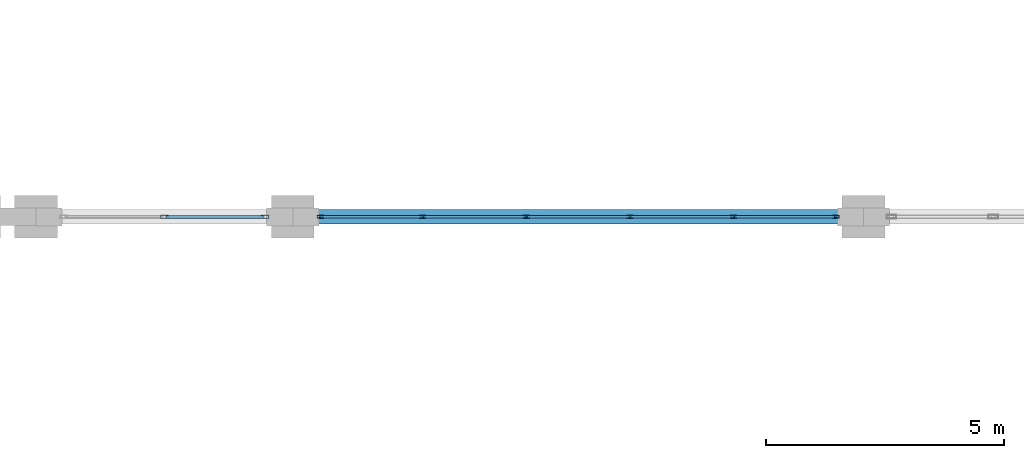
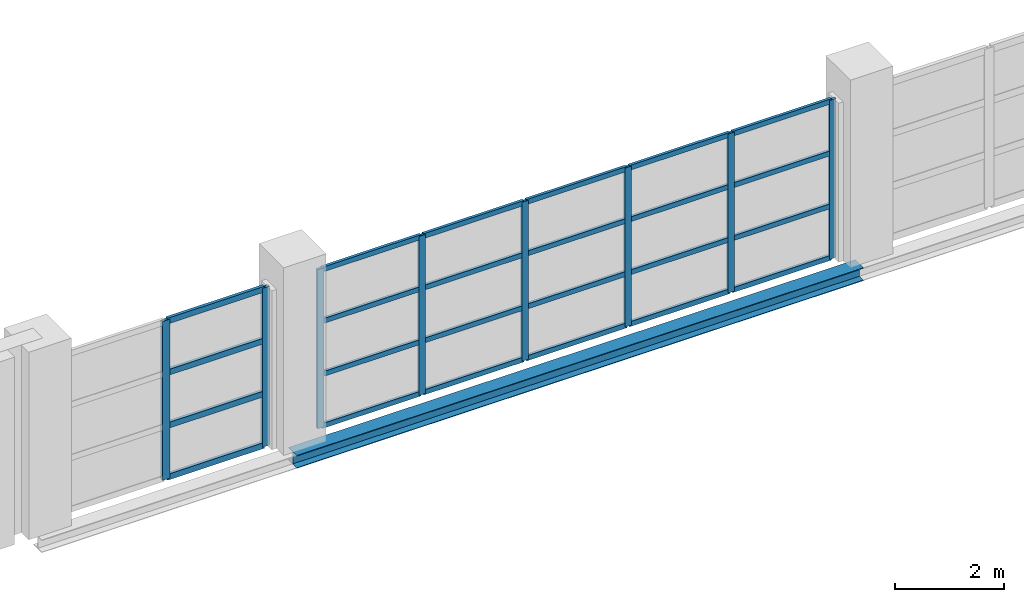
# One storey, part 73 of 158: 32 members, 1 beam, 2 elements without a shape of their own.
"""IFC4 building model written with IfcOpenShell, lengths in metres."""

from ifc_helpers import new_model, si_unit, direction, frame, origin, origin_2d, place, context, subcontext, project, spatial, hollow_rectangle, i_section, extrude, material, layer, layer_set, material_profile, profile_set, type_object, element, aggregate, save


model = new_model("IFC4")

# Units and contexts
model_context = context("Model", 3, precision=1e-05, world=origin(), true_north=direction((0.0, 1.0)))
body_context = subcontext(model_context, "Body", "Model", "MODEL_VIEW")
ifc_project = project(units=[si_unit("LENGTHUNIT", "METRE"), si_unit("AREAUNIT", "SQUARE_METRE"), si_unit("VOLUMEUNIT", "CUBIC_METRE"), si_unit("PLANEANGLEUNIT", "RADIAN"), si_unit("MASSUNIT", "GRAM", prefix="KILO")], contexts=[model_context])

# Site, building, storey
site_placement = place(None, origin())
site = spatial("IfcSite", under=ifc_project, at=site_placement, CompositionType="ELEMENT")
building_placement = place(site_placement, origin())
building = spatial("IfcBuilding", under=site, at=building_placement, Name="Zilviju Railside Exhibition Hall", CompositionType="ELEMENT")
storey_placement = place(building_placement, frame((0.0, 0.0, 4.199951171875)))
storey = spatial("IfcBuildingStorey", under=building, at=storey_placement, Name="L02", CompositionType="ELEMENT", Elevation=4.199951171875)

# Beam
ifc_material_1 = material(Name="Steel S355J2", Category="steel")
ifc_material_profile_1 = material_profile(ifc_material_1, i_section(OverallWidth=0.300048828125, OverallDepth=0.2900390625, WebThickness=0.008544921875, FlangeThickness=0.013916015625, at=origin_2d()), Name="HEA 300")
ifc_profile_set_1 = profile_set([ifc_material_profile_1], Name="Steel S355J2")
beam_type = type_object("IfcBeamType", Name="BM-HEA300", PredefinedType="SPANDREL", material=ifc_profile_set_1)
beam_placement = place(storey_placement, frame((132.0, 54.0, -0.48486328125), z_axis=(1.0, 0.0, 0.0), x_axis=(0.0, 1.0, 0.0)))
element("IfcBeam", 1, at=beam_placement, inside=storey, type_object=beam_type, Name="Primary Girder L02 Y=54.0 (132.0..144.0)", PredefinedType="SPANDREL", context=body_context, shape_type="SweptSolid", body=[
    extrude(i_section(OverallWidth=0.300048828125, OverallDepth=0.2900390625, WebThickness=0.008544921875, FlangeThickness=0.013916015625, at=origin_2d()), origin(), (0.0, 0.0, 1.0), 12.0),
])

# Curtain wall, members
ifc_material_2 = material(Name="Thermally broken aluminium-steel triple-glazed curtain wall", Category="steel")
ifc_layer_1 = layer(ifc_material_2, 0.179931640625)
ifc_layer_set_1 = layer_set([ifc_layer_1], Name="Thermally broken aluminium-steel triple-glazed curtain wall")
curtain_wall_type_1 = type_object("IfcCurtainWallType", Name="CW-BAY-01", PredefinedType="USERDEFINED", material=ifc_layer_set_1)
curtain_wall_1_placement = place(storey_placement, origin())
curtain_wall_1 = element("IfcCurtainWall", 2, at=curtain_wall_1_placement, inside=storey, type_object=curtain_wall_type_1, Name="South Hall Garden Court Curtain Wall L02 (132..144)", ObjectType="GLAZED CURTAIN WALL", PredefinedType="USERDEFINED")
ifc_material_3 = material(Name="Thermally broken anodized aluminium mullion", Category="aluminium")
ifc_material_profile_2 = material_profile(ifc_material_3, hollow_rectangle(XDim=0.06005859375, YDim=0.139892578125, WallThickness=0.0048828125, at=origin_2d()), Name="MULLION 140x60x5")
ifc_profile_set_2 = profile_set([ifc_material_profile_2], Name="Thermally broken anodized aluminium mullion")
member_type_1 = type_object("IfcMemberType", Name="CWM-60x140", PredefinedType="MULLION", material=ifc_profile_set_2)
member_1_placement = place(storey_placement, frame((132.580078125, 54.0, 0.0), z_axis=(0.0, 0.0, 1.0), x_axis=(0.0, 1.0, 0.0)))
member_1 = element("IfcMember", 3, at=member_1_placement, type_object=member_type_1, Name="CW-01 mullion 1", PredefinedType="MULLION", context=body_context, shape_type="SweptSolid", body=[
    extrude(hollow_rectangle(XDim=0.06005859375, YDim=0.139892578125, WallThickness=0.0048828125, at=origin_2d()), origin(), (0.0, 0.0, 1.0), 3.56005859375),
])
member_2_placement = place(storey_placement, frame((134.72998046875, 54.0, 0.0), z_axis=(0.0, 0.0, 1.0), x_axis=(0.0, 1.0, 0.0)))
member_2 = element("IfcMember", 4, at=member_2_placement, type_object=member_type_1, Name="CW-01 mullion 2", PredefinedType="MULLION", context=body_context, shape_type="SweptSolid", body=[
    extrude(hollow_rectangle(XDim=0.06005859375, YDim=0.139892578125, WallThickness=0.0048828125, at=origin_2d()), origin(), (0.0, 0.0, 1.0), 3.56005859375),
])
member_3_placement = place(storey_placement, frame((136.909912109375, 54.0, 0.0), z_axis=(0.0, 0.0, 1.0), x_axis=(0.0, 1.0, 0.0)))
member_3 = element("IfcMember", 5, at=member_3_placement, type_object=member_type_1, Name="CW-01 mullion 3", PredefinedType="MULLION", context=body_context, shape_type="SweptSolid", body=[
    extrude(hollow_rectangle(XDim=0.06005859375, YDim=0.139892578125, WallThickness=0.0048828125, at=origin_2d()), origin(), (0.0, 0.0, 1.0), 3.56005859375),
])
member_4_placement = place(storey_placement, frame((139.090087890625, 54.0, 0.0), z_axis=(0.0, 0.0, 1.0), x_axis=(0.0, 1.0, 0.0)))
member_4 = element("IfcMember", 6, at=member_4_placement, type_object=member_type_1, Name="CW-01 mullion 4", PredefinedType="MULLION", context=body_context, shape_type="SweptSolid", body=[
    extrude(hollow_rectangle(XDim=0.06005859375, YDim=0.139892578125, WallThickness=0.0048828125, at=origin_2d()), origin(), (0.0, 0.0, 1.0), 3.56005859375),
])
member_5_placement = place(storey_placement, frame((141.27001953125, 54.0, 0.0), z_axis=(0.0, 0.0, 1.0), x_axis=(0.0, 1.0, 0.0)))
member_5 = element("IfcMember", 7, at=member_5_placement, type_object=member_type_1, Name="CW-01 mullion 5", PredefinedType="MULLION", context=body_context, shape_type="SweptSolid", body=[
    extrude(hollow_rectangle(XDim=0.06005859375, YDim=0.139892578125, WallThickness=0.0048828125, at=origin_2d()), origin(), (0.0, 0.0, 1.0), 3.56005859375),
])
member_6_placement = place(storey_placement, frame((143.419921875, 54.0, 0.0), z_axis=(0.0, 0.0, 1.0), x_axis=(0.0, 1.0, 0.0)))
member_6 = element("IfcMember", 8, at=member_6_placement, type_object=member_type_1, Name="CW-01 mullion 6", PredefinedType="MULLION", context=body_context, shape_type="SweptSolid", body=[
    extrude(hollow_rectangle(XDim=0.06005859375, YDim=0.139892578125, WallThickness=0.0048828125, at=origin_2d()), origin(), (0.0, 0.0, 1.0), 3.56005859375),
])

ifc_layer_2 = layer(ifc_material_2, 0.179931640625)
ifc_layer_set_2 = layer_set([ifc_layer_2], Name="Thermally broken aluminium-steel triple-glazed curtain wall")
curtain_wall_type_2 = type_object("IfcCurtainWallType", Name="CW-BAY-20", PredefinedType="USERDEFINED", material=ifc_layer_set_2)
curtain_wall_2_placement = place(storey_placement, origin())
curtain_wall_2 = element("IfcCurtainWall", 9, at=curtain_wall_2_placement, inside=storey, type_object=curtain_wall_type_2, Name="South Hall Garden Court Curtain Wall L02 (127..132)", ObjectType="GLAZED CURTAIN WALL", PredefinedType="USERDEFINED")
ifc_material_profile_3 = material_profile(ifc_material_3, hollow_rectangle(XDim=0.06494140625, YDim=0.159912109375, WallThickness=0.0048828125, at=origin_2d()), Name="MULLION 160x65x5")
ifc_profile_set_3 = profile_set([ifc_material_profile_3], Name="Thermally broken anodized aluminium mullion")
member_type_2 = type_object("IfcMemberType", Name="CWM-65x160", PredefinedType="MULLION", material=ifc_profile_set_3)
member_7_placement = place(storey_placement, frame((129.300048828125, 54.0, 0.0), z_axis=(0.0, 0.0, 1.0), x_axis=(0.0, 1.0, 0.0)))
member_7 = element("IfcMember", 10, at=member_7_placement, type_object=member_type_2, Name="CW-20 mullion 2", PredefinedType="MULLION", context=body_context, shape_type="SweptSolid", body=[
    extrude(hollow_rectangle(XDim=0.06494140625, YDim=0.159912109375, WallThickness=0.0048828125, at=origin_2d()), origin(), (0.0, 0.0, 1.0), 3.56005859375),
])
member_8_placement = place(storey_placement, frame((131.41748046875, 54.0, 0.0), z_axis=(0.0, 0.0, 1.0), x_axis=(0.0, 1.0, 0.0)))
member_8 = element("IfcMember", 11, at=member_8_placement, type_object=member_type_2, Name="CW-20 mullion 3", PredefinedType="MULLION", context=body_context, shape_type="SweptSolid", body=[
    extrude(hollow_rectangle(XDim=0.06494140625, YDim=0.159912109375, WallThickness=0.0048828125, at=origin_2d()), origin(), (0.0, 0.0, 1.0), 3.56005859375),
])

# Member
ifc_material_4 = material(Name="Thermally broken anodized aluminium transom", Category="aluminium")
ifc_material_profile_4 = material_profile(ifc_material_4, hollow_rectangle(XDim=0.06005859375, YDim=0.110107421875, WallThickness=0.0048828125, at=origin_2d()), Name="TRANSOM 110x60x5")
ifc_profile_set_4 = profile_set([ifc_material_profile_4], Name="Thermally broken anodized aluminium transom")
member_type_3 = type_object("IfcMemberType", Name="CWT-60x110", PredefinedType="USERDEFINED", material=ifc_profile_set_4)
member_9_placement = place(storey_placement, frame((132.610107421875, 54.0, 0.030029296875), z_axis=(1.0, 0.0, 0.0), x_axis=(0.0, 1.0, 0.0)))
member_9 = element("IfcMember", 12, at=member_9_placement, type_object=member_type_3, Name="CW-01 transom 1.1", ObjectType="TRANSOM", PredefinedType="USERDEFINED", context=body_context, shape_type="SweptSolid", body=[
    extrude(hollow_rectangle(XDim=0.06005859375, YDim=0.110107421875, WallThickness=0.0048828125, at=origin_2d()), origin(), (0.0, 0.0, 1.0), 2.08984375),
])

member_10_placement = place(storey_placement, frame((132.610107421875, 54.0, 1.18701171875), z_axis=(1.0, 0.0, 0.0), x_axis=(0.0, 1.0, 0.0)))
member_10 = element("IfcMember", 13, at=member_10_placement, type_object=member_type_3, Name="CW-01 transom 1.2", ObjectType="TRANSOM", PredefinedType="USERDEFINED", context=body_context, shape_type="SweptSolid", body=[
    extrude(hollow_rectangle(XDim=0.06005859375, YDim=0.110107421875, WallThickness=0.0048828125, at=origin_2d()), origin(), (0.0, 0.0, 1.0), 2.08984375),
])

member_11_placement = place(storey_placement, frame((132.610107421875, 54.0, 2.373046875), z_axis=(1.0, 0.0, 0.0), x_axis=(0.0, 1.0, 0.0)))
member_11 = element("IfcMember", 14, at=member_11_placement, type_object=member_type_3, Name="CW-01 transom 1.3", ObjectType="TRANSOM", PredefinedType="USERDEFINED", context=body_context, shape_type="SweptSolid", body=[
    extrude(hollow_rectangle(XDim=0.06005859375, YDim=0.110107421875, WallThickness=0.0048828125, at=origin_2d()), origin(), (0.0, 0.0, 1.0), 2.08984375),
])

member_12_placement = place(storey_placement, frame((132.610107421875, 54.0, 3.530029296875), z_axis=(1.0, 0.0, 0.0), x_axis=(0.0, 1.0, 0.0)))
member_12 = element("IfcMember", 15, at=member_12_placement, type_object=member_type_3, Name="CW-01 transom 1.4", ObjectType="TRANSOM", PredefinedType="USERDEFINED", context=body_context, shape_type="SweptSolid", body=[
    extrude(hollow_rectangle(XDim=0.06005859375, YDim=0.110107421875, WallThickness=0.0048828125, at=origin_2d()), origin(), (0.0, 0.0, 1.0), 2.08984375),
])

member_13_placement = place(storey_placement, frame((134.760009765625, 54.0, 0.030029296875), z_axis=(1.0, 0.0, 0.0), x_axis=(0.0, 1.0, 0.0)))
member_13 = element("IfcMember", 16, at=member_13_placement, type_object=member_type_3, Name="CW-01 transom 2.1", ObjectType="TRANSOM", PredefinedType="USERDEFINED", context=body_context, shape_type="SweptSolid", body=[
    extrude(hollow_rectangle(XDim=0.06005859375, YDim=0.110107421875, WallThickness=0.0048828125, at=origin_2d()), origin(), (0.0, 0.0, 1.0), 2.119873046875),
])

member_14_placement = place(storey_placement, frame((134.760009765625, 54.0, 1.18701171875), z_axis=(1.0, 0.0, 0.0), x_axis=(0.0, 1.0, 0.0)))
member_14 = element("IfcMember", 17, at=member_14_placement, type_object=member_type_3, Name="CW-01 transom 2.2", ObjectType="TRANSOM", PredefinedType="USERDEFINED", context=body_context, shape_type="SweptSolid", body=[
    extrude(hollow_rectangle(XDim=0.06005859375, YDim=0.110107421875, WallThickness=0.0048828125, at=origin_2d()), origin(), (0.0, 0.0, 1.0), 2.119873046875),
])

member_15_placement = place(storey_placement, frame((134.760009765625, 54.0, 2.373046875), z_axis=(1.0, 0.0, 0.0), x_axis=(0.0, 1.0, 0.0)))
member_15 = element("IfcMember", 18, at=member_15_placement, type_object=member_type_3, Name="CW-01 transom 2.3", ObjectType="TRANSOM", PredefinedType="USERDEFINED", context=body_context, shape_type="SweptSolid", body=[
    extrude(hollow_rectangle(XDim=0.06005859375, YDim=0.110107421875, WallThickness=0.0048828125, at=origin_2d()), origin(), (0.0, 0.0, 1.0), 2.119873046875),
])

member_16_placement = place(storey_placement, frame((134.760009765625, 54.0, 3.530029296875), z_axis=(1.0, 0.0, 0.0), x_axis=(0.0, 1.0, 0.0)))
member_16 = element("IfcMember", 19, at=member_16_placement, type_object=member_type_3, Name="CW-01 transom 2.4", ObjectType="TRANSOM", PredefinedType="USERDEFINED", context=body_context, shape_type="SweptSolid", body=[
    extrude(hollow_rectangle(XDim=0.06005859375, YDim=0.110107421875, WallThickness=0.0048828125, at=origin_2d()), origin(), (0.0, 0.0, 1.0), 2.119873046875),
])

member_17_placement = place(storey_placement, frame((136.93994140625, 54.0, 0.030029296875), z_axis=(1.0, 0.0, 0.0), x_axis=(0.0, 1.0, 0.0)))
member_17 = element("IfcMember", 20, at=member_17_placement, type_object=member_type_3, Name="CW-01 transom 3.1", ObjectType="TRANSOM", PredefinedType="USERDEFINED", context=body_context, shape_type="SweptSolid", body=[
    extrude(hollow_rectangle(XDim=0.06005859375, YDim=0.110107421875, WallThickness=0.0048828125, at=origin_2d()), origin(), (0.0, 0.0, 1.0), 2.1201171875),
])

member_18_placement = place(storey_placement, frame((136.93994140625, 54.0, 1.18701171875), z_axis=(1.0, 0.0, 0.0), x_axis=(0.0, 1.0, 0.0)))
member_18 = element("IfcMember", 21, at=member_18_placement, type_object=member_type_3, Name="CW-01 transom 3.2", ObjectType="TRANSOM", PredefinedType="USERDEFINED", context=body_context, shape_type="SweptSolid", body=[
    extrude(hollow_rectangle(XDim=0.06005859375, YDim=0.110107421875, WallThickness=0.0048828125, at=origin_2d()), origin(), (0.0, 0.0, 1.0), 2.1201171875),
])

member_19_placement = place(storey_placement, frame((136.93994140625, 54.0, 2.373046875), z_axis=(1.0, 0.0, 0.0), x_axis=(0.0, 1.0, 0.0)))
member_19 = element("IfcMember", 22, at=member_19_placement, type_object=member_type_3, Name="CW-01 transom 3.3", ObjectType="TRANSOM", PredefinedType="USERDEFINED", context=body_context, shape_type="SweptSolid", body=[
    extrude(hollow_rectangle(XDim=0.06005859375, YDim=0.110107421875, WallThickness=0.0048828125, at=origin_2d()), origin(), (0.0, 0.0, 1.0), 2.1201171875),
])

member_20_placement = place(storey_placement, frame((136.93994140625, 54.0, 3.530029296875), z_axis=(1.0, 0.0, 0.0), x_axis=(0.0, 1.0, 0.0)))
member_20 = element("IfcMember", 23, at=member_20_placement, type_object=member_type_3, Name="CW-01 transom 3.4", ObjectType="TRANSOM", PredefinedType="USERDEFINED", context=body_context, shape_type="SweptSolid", body=[
    extrude(hollow_rectangle(XDim=0.06005859375, YDim=0.110107421875, WallThickness=0.0048828125, at=origin_2d()), origin(), (0.0, 0.0, 1.0), 2.1201171875),
])

member_21_placement = place(storey_placement, frame((139.1201171875, 54.0, 0.030029296875), z_axis=(1.0, 0.0, 0.0), x_axis=(0.0, 1.0, 0.0)))
member_21 = element("IfcMember", 24, at=member_21_placement, type_object=member_type_3, Name="CW-01 transom 4.1", ObjectType="TRANSOM", PredefinedType="USERDEFINED", context=body_context, shape_type="SweptSolid", body=[
    extrude(hollow_rectangle(XDim=0.06005859375, YDim=0.110107421875, WallThickness=0.0048828125, at=origin_2d()), origin(), (0.0, 0.0, 1.0), 2.119873046875),
])

member_22_placement = place(storey_placement, frame((139.1201171875, 54.0, 1.18701171875), z_axis=(1.0, 0.0, 0.0), x_axis=(0.0, 1.0, 0.0)))
member_22 = element("IfcMember", 25, at=member_22_placement, type_object=member_type_3, Name="CW-01 transom 4.2", ObjectType="TRANSOM", PredefinedType="USERDEFINED", context=body_context, shape_type="SweptSolid", body=[
    extrude(hollow_rectangle(XDim=0.06005859375, YDim=0.110107421875, WallThickness=0.0048828125, at=origin_2d()), origin(), (0.0, 0.0, 1.0), 2.119873046875),
])

member_23_placement = place(storey_placement, frame((139.1201171875, 54.0, 2.373046875), z_axis=(1.0, 0.0, 0.0), x_axis=(0.0, 1.0, 0.0)))
member_23 = element("IfcMember", 26, at=member_23_placement, type_object=member_type_3, Name="CW-01 transom 4.3", ObjectType="TRANSOM", PredefinedType="USERDEFINED", context=body_context, shape_type="SweptSolid", body=[
    extrude(hollow_rectangle(XDim=0.06005859375, YDim=0.110107421875, WallThickness=0.0048828125, at=origin_2d()), origin(), (0.0, 0.0, 1.0), 2.119873046875),
])

member_24_placement = place(storey_placement, frame((139.1201171875, 54.0, 3.530029296875), z_axis=(1.0, 0.0, 0.0), x_axis=(0.0, 1.0, 0.0)))
member_24 = element("IfcMember", 27, at=member_24_placement, type_object=member_type_3, Name="CW-01 transom 4.4", ObjectType="TRANSOM", PredefinedType="USERDEFINED", context=body_context, shape_type="SweptSolid", body=[
    extrude(hollow_rectangle(XDim=0.06005859375, YDim=0.110107421875, WallThickness=0.0048828125, at=origin_2d()), origin(), (0.0, 0.0, 1.0), 2.119873046875),
])

member_25_placement = place(storey_placement, frame((141.300048828125, 54.0, 0.030029296875), z_axis=(1.0, 0.0, 0.0), x_axis=(0.0, 1.0, 0.0)))
member_25 = element("IfcMember", 28, at=member_25_placement, type_object=member_type_3, Name="CW-01 transom 5.1", ObjectType="TRANSOM", PredefinedType="USERDEFINED", context=body_context, shape_type="SweptSolid", body=[
    extrude(hollow_rectangle(XDim=0.06005859375, YDim=0.110107421875, WallThickness=0.0048828125, at=origin_2d()), origin(), (0.0, 0.0, 1.0), 2.08984375),
])

member_26_placement = place(storey_placement, frame((141.300048828125, 54.0, 1.18701171875), z_axis=(1.0, 0.0, 0.0), x_axis=(0.0, 1.0, 0.0)))
member_26 = element("IfcMember", 29, at=member_26_placement, type_object=member_type_3, Name="CW-01 transom 5.2", ObjectType="TRANSOM", PredefinedType="USERDEFINED", context=body_context, shape_type="SweptSolid", body=[
    extrude(hollow_rectangle(XDim=0.06005859375, YDim=0.110107421875, WallThickness=0.0048828125, at=origin_2d()), origin(), (0.0, 0.0, 1.0), 2.08984375),
])

member_27_placement = place(storey_placement, frame((141.300048828125, 54.0, 2.373046875), z_axis=(1.0, 0.0, 0.0), x_axis=(0.0, 1.0, 0.0)))
member_27 = element("IfcMember", 30, at=member_27_placement, type_object=member_type_3, Name="CW-01 transom 5.3", ObjectType="TRANSOM", PredefinedType="USERDEFINED", context=body_context, shape_type="SweptSolid", body=[
    extrude(hollow_rectangle(XDim=0.06005859375, YDim=0.110107421875, WallThickness=0.0048828125, at=origin_2d()), origin(), (0.0, 0.0, 1.0), 2.08984375),
])

member_28_placement = place(storey_placement, frame((141.300048828125, 54.0, 3.530029296875), z_axis=(1.0, 0.0, 0.0), x_axis=(0.0, 1.0, 0.0)))
member_28 = element("IfcMember", 31, at=member_28_placement, type_object=member_type_3, Name="CW-01 transom 5.4", ObjectType="TRANSOM", PredefinedType="USERDEFINED", context=body_context, shape_type="SweptSolid", body=[
    extrude(hollow_rectangle(XDim=0.06005859375, YDim=0.110107421875, WallThickness=0.0048828125, at=origin_2d()), origin(), (0.0, 0.0, 1.0), 2.08984375),
])

aggregate(curtain_wall_1, [member_1, member_2, member_3, member_4, member_5, member_6, member_9, member_10, member_11, member_12, member_13, member_14, member_15, member_16, member_17, member_18, member_19, member_20, member_21, member_22, member_23, member_24, member_25, member_26, member_27, member_28])

ifc_material_profile_5 = material_profile(ifc_material_4, hollow_rectangle(XDim=0.06494140625, YDim=0.1298828125, WallThickness=0.0048828125, at=origin_2d()), Name="TRANSOM 130x65x5")
ifc_profile_set_5 = profile_set([ifc_material_profile_5], Name="Thermally broken anodized aluminium transom")
member_type_4 = type_object("IfcMemberType", Name="CWT-65x130", PredefinedType="USERDEFINED", material=ifc_profile_set_5)
member_29_placement = place(storey_placement, frame((129.33251953125, 54.0, 0.032470703125), z_axis=(1.0, 0.0, 0.0), x_axis=(0.0, 1.0, 0.0)))
member_29 = element("IfcMember", 32, at=member_29_placement, type_object=member_type_4, Name="CW-20 transom 2.1", ObjectType="TRANSOM", PredefinedType="USERDEFINED", context=body_context, shape_type="SweptSolid", body=[
    extrude(hollow_rectangle(XDim=0.06494140625, YDim=0.1298828125, WallThickness=0.0048828125, at=origin_2d()), origin(), (0.0, 0.0, 1.0), 2.052490234375),
])

member_30_placement = place(storey_placement, frame((129.33251953125, 54.0, 1.18701171875), z_axis=(1.0, 0.0, 0.0), x_axis=(0.0, 1.0, 0.0)))
member_30 = element("IfcMember", 33, at=member_30_placement, type_object=member_type_4, Name="CW-20 transom 2.2", ObjectType="TRANSOM", PredefinedType="USERDEFINED", context=body_context, shape_type="SweptSolid", body=[
    extrude(hollow_rectangle(XDim=0.06494140625, YDim=0.1298828125, WallThickness=0.0048828125, at=origin_2d()), origin(), (0.0, 0.0, 1.0), 2.052490234375),
])

member_31_placement = place(storey_placement, frame((129.33251953125, 54.0, 2.373046875), z_axis=(1.0, 0.0, 0.0), x_axis=(0.0, 1.0, 0.0)))
member_31 = element("IfcMember", 34, at=member_31_placement, type_object=member_type_4, Name="CW-20 transom 2.3", ObjectType="TRANSOM", PredefinedType="USERDEFINED", context=body_context, shape_type="SweptSolid", body=[
    extrude(hollow_rectangle(XDim=0.06494140625, YDim=0.1298828125, WallThickness=0.0048828125, at=origin_2d()), origin(), (0.0, 0.0, 1.0), 2.052490234375),
])

member_32_placement = place(storey_placement, frame((129.33251953125, 54.0, 3.527587890625), z_axis=(1.0, 0.0, 0.0), x_axis=(0.0, 1.0, 0.0)))
member_32 = element("IfcMember", 35, at=member_32_placement, type_object=member_type_4, Name="CW-20 transom 2.4", ObjectType="TRANSOM", PredefinedType="USERDEFINED", context=body_context, shape_type="SweptSolid", body=[
    extrude(hollow_rectangle(XDim=0.06494140625, YDim=0.1298828125, WallThickness=0.0048828125, at=origin_2d()), origin(), (0.0, 0.0, 1.0), 2.052490234375),
])

aggregate(curtain_wall_2, [member_7, member_8, member_29, member_30, member_31, member_32])

save(model, "model.ifc")
